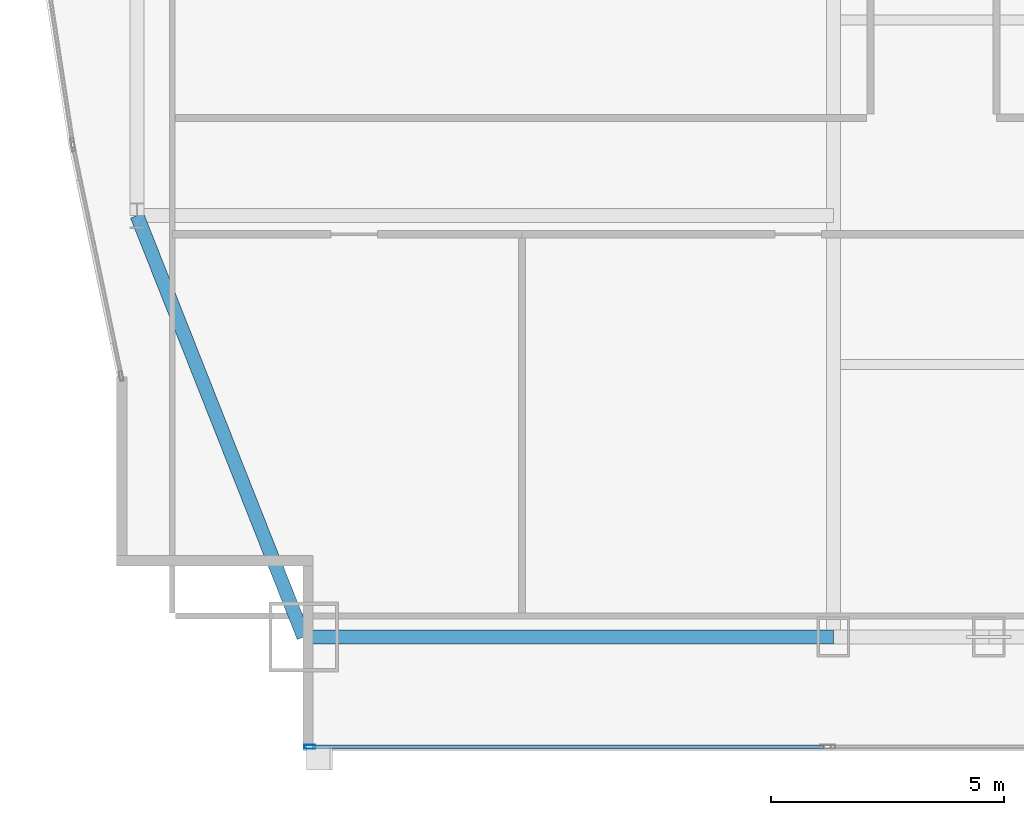
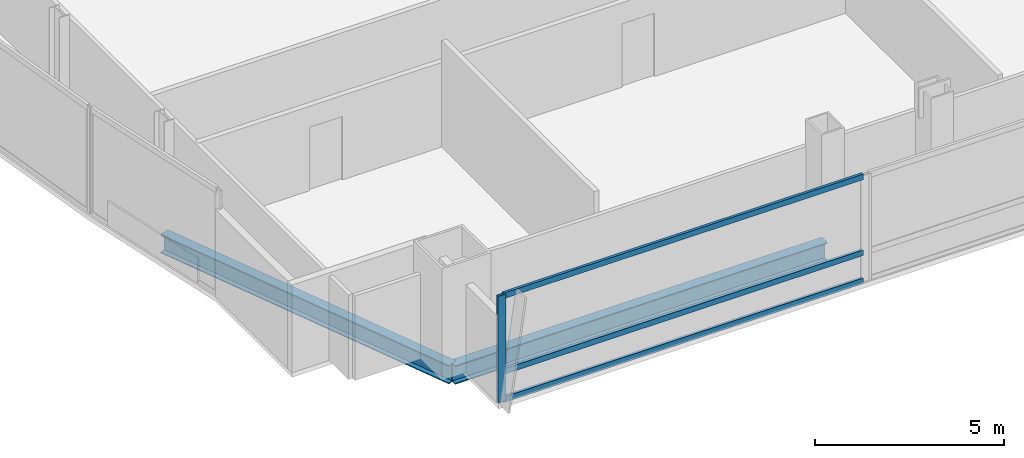
# One storey, part 5 of 33: 4 members, 2 beams, 1 element without a shape of its own.
"""IFC4 building model written with IfcOpenShell, lengths in metres."""

from ifc_helpers import new_model, si_unit, direction, frame, origin, origin_2d, place, context, subcontext, project, spatial, hollow_rectangle, i_section, extrude, material, material_profile, profile_set, type_object, element, aggregate, save


model = new_model("IFC4")

# Units and contexts
model_context = context("Model", 3, precision=1e-05, world=origin(), true_north=direction((0.0, 1.0)))
body_context = subcontext(model_context, "Body", "Model", "MODEL_VIEW")
ifc_project = project(units=[si_unit("LENGTHUNIT", "METRE"), si_unit("AREAUNIT", "SQUARE_METRE"), si_unit("VOLUMEUNIT", "CUBIC_METRE"), si_unit("PLANEANGLEUNIT", "RADIAN"), si_unit("MASSUNIT", "GRAM", prefix="KILO")], contexts=[model_context])

# Site, building, storey
site_placement = place(None, origin())
site = spatial("IfcSite", under=ifc_project, at=site_placement, CompositionType="ELEMENT")
building_placement = place(site_placement, origin())
building = spatial("IfcBuilding", under=site, at=building_placement, Name="Khoronbel Lancet Exchange", CompositionType="ELEMENT")
storey_placement = place(building_placement, frame((0.0, 0.0, 114.60009765625)))
storey = spatial("IfcBuildingStorey", under=building, at=storey_placement, Name="L27", CompositionType="ELEMENT", Elevation=114.60009765625)

# Beams
ifc_material_1 = material(Name="Steel S355", Category="steel")
ifc_material_profile_1 = material_profile(ifc_material_1, i_section(OverallWidth=0.300048828125, OverallDepth=0.60009765625, WebThickness=0.015380859375, FlangeThickness=0.030029296875, at=origin_2d()), Name="HEB 600")
ifc_profile_set_1 = profile_set([ifc_material_profile_1], Name="Steel S355")
beam_type = type_object("IfcBeamType", Name="BM-BSP2", PredefinedType="SPANDREL", material=ifc_profile_set_1)
beam_1_placement = place(storey_placement, frame((6.85009765625, 10.14990234375, -0.460205078125), z_axis=(1.0, 0.0, 0.0), x_axis=(0.0, 1.0, 0.0)))
element("IfcBeam", 1, at=beam_1_placement, inside=storey, type_object=beam_type, Name="Level L27 perimeter spandrel beam SP01", PredefinedType="SPANDREL", context=body_context, shape_type="SweptSolid", body=[
    extrude(i_section(OverallWidth=0.300048828125, OverallDepth=0.60009765625, WebThickness=0.015380859375, FlangeThickness=0.030029296875, at=origin_2d()), origin(), (0.0, 0.0, 1.0), 11.375),
])
beam_2_placement = place(storey_placement, frame((3.27001953125, 19.199951171875, -0.460205078125), z_axis=(0.367850095026, -0.92988510451, 0.0), x_axis=(0.92988510451, 0.367850095026, 0.0)))
element("IfcBeam", 2, at=beam_2_placement, inside=storey, type_object=beam_type, Name="Level L27 perimeter spandrel beam SP21", PredefinedType="SPANDREL", context=body_context, shape_type="SweptSolid", body=[
    extrude(i_section(OverallWidth=0.300048828125, OverallDepth=0.60009765625, WebThickness=0.015380859375, FlangeThickness=0.030029296875, at=origin_2d()), origin(), (0.0, 0.0, 1.0), 9.732421875),
])

# Curtain wall, members
ifc_material_2 = material(Name="Low-E Solar Control Insulating Glass", Category="glass")
curtain_wall_type = type_object("IfcCurtainWallType", Name="CW-2", PredefinedType="NOTDEFINED", material=ifc_material_2)
curtain_wall_placement = place(storey_placement, origin())
curtain_wall = element("IfcCurtainWall", 3, at=curtain_wall_placement, inside=storey, type_object=curtain_wall_type, Name="Unitised curtain wall CW-L27-SWV", PredefinedType="NOTDEFINED")
ifc_material_3 = material(Name="Bronze-Anodised Aluminium 6063-T6", Category="aluminium")
ifc_material_profile_2 = material_profile(ifc_material_3, hollow_rectangle(XDim=0.0849609375, YDim=0.239990234375, WallThickness=0.006103515625, at=origin_2d()), Name="ALU MULLION 85x240")
ifc_profile_set_2 = profile_set([ifc_material_profile_2], Name="Bronze-Anodised Aluminium 6063-T6")
member_type_1 = type_object("IfcMemberType", Name="MEM-CWM1", PredefinedType="MULLION", material=ifc_profile_set_2)
member_1_placement = place(storey_placement, frame((6.982421875, 7.7900390625, 0.0), z_axis=(0.0, 0.0, 1.0), x_axis=(0.0, 1.0, 0.0)))
member_1 = element("IfcMember", 4, at=member_1_placement, type_object=member_type_1, Name="CW2 mullion 1", PredefinedType="MULLION", context=body_context, shape_type="SweptSolid", body=[
    extrude(hollow_rectangle(XDim=0.0849609375, YDim=0.239990234375, WallThickness=0.006103515625, at=origin_2d()), origin(), (0.0, 0.0, 1.0), 3.43994140625),
])
ifc_material_profile_3 = material_profile(ifc_material_3, hollow_rectangle(XDim=0.0849609375, YDim=0.179931640625, WallThickness=0.0048828125, at=origin_2d()), Name="ALU TRANSOM 85x180")
ifc_profile_set_3 = profile_set([ifc_material_profile_3], Name="Bronze-Anodised Aluminium 6063-T6")
member_type_2 = type_object("IfcMemberType", Name="MEM-CWT1", PredefinedType="USERDEFINED", material=ifc_profile_set_3)
member_2_placement = place(storey_placement, frame((7.02490234375, 7.7900390625, 0.04248046875), z_axis=(1.0, 0.0, 0.0), x_axis=(0.0, 1.0, 0.0)))
member_2 = element("IfcMember", 5, at=member_2_placement, type_object=member_type_2, Name="CW2 transom 1.1", ObjectType="TRANSOM", PredefinedType="USERDEFINED", context=body_context, shape_type="SweptSolid", body=[
    extrude(hollow_rectangle(XDim=0.0849609375, YDim=0.179931640625, WallThickness=0.0048828125, at=origin_2d()), origin(), (0.0, 0.0, 1.0), 10.989990234375),
])
member_3_placement = place(storey_placement, frame((7.02490234375, 7.7900390625, 0.949951171875), z_axis=(1.0, 0.0, 0.0), x_axis=(0.0, 1.0, 0.0)))
member_3 = element("IfcMember", 6, at=member_3_placement, type_object=member_type_2, Name="CW2 transom 1.2", ObjectType="TRANSOM", PredefinedType="USERDEFINED", context=body_context, shape_type="SweptSolid", body=[
    extrude(hollow_rectangle(XDim=0.0849609375, YDim=0.179931640625, WallThickness=0.0048828125, at=origin_2d()), origin(), (0.0, 0.0, 1.0), 10.989990234375),
])
member_4_placement = place(storey_placement, frame((7.02490234375, 7.7900390625, 3.3974609375), z_axis=(1.0, 0.0, 0.0), x_axis=(0.0, 1.0, 0.0)))
member_4 = element("IfcMember", 7, at=member_4_placement, type_object=member_type_2, Name="CW2 transom 1.3", ObjectType="TRANSOM", PredefinedType="USERDEFINED", context=body_context, shape_type="SweptSolid", body=[
    extrude(hollow_rectangle(XDim=0.0849609375, YDim=0.179931640625, WallThickness=0.0048828125, at=origin_2d()), origin(), (0.0, 0.0, 1.0), 10.989990234375),
])
aggregate(curtain_wall, [member_1, member_2, member_3, member_4])

save(model, "model.ifc")
